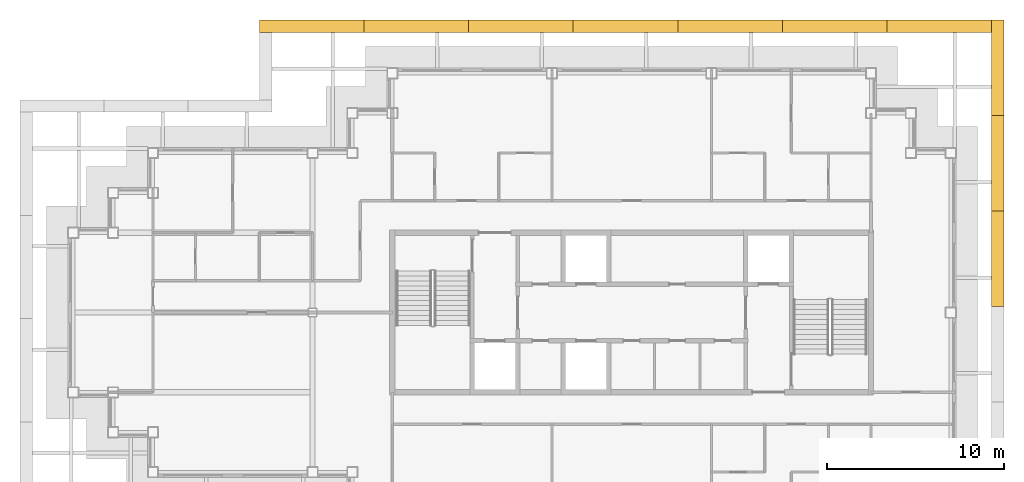
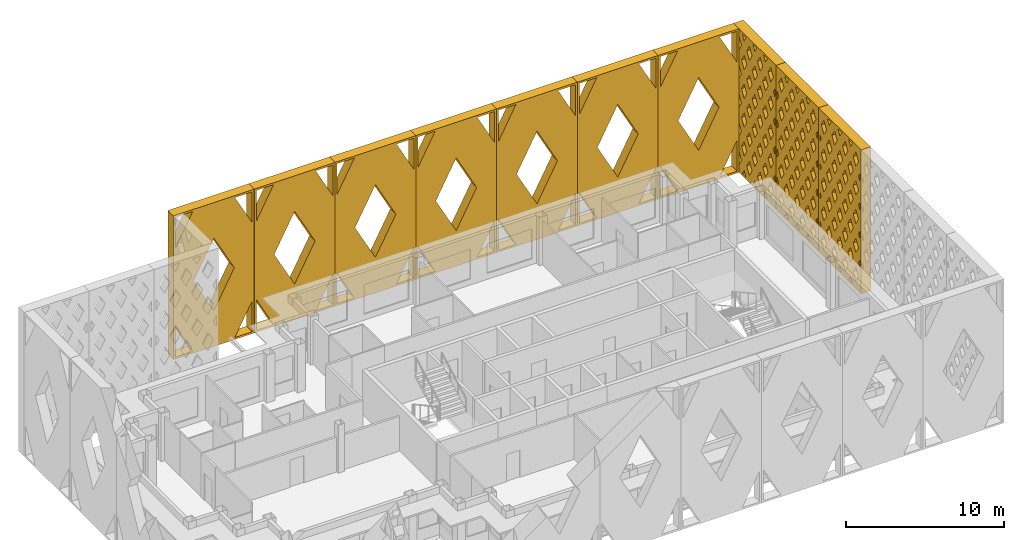
# One storey, part 13 of 13: 10 shading devices.
"""IFC4 building model written with IfcOpenShell, lengths in metres."""

import ifcopenshell
import ifcopenshell.guid

model = None  # the IFC model being written
_history = None  # IfcOwnerHistory: only IFC2X3 demands one
_inside = {}  # id of a spatial element -> (the spatial element, [elements in it])
_under = {}  # id of a project, library or spatial element -> (it, [spatial elements below it])
_declared = {}  # id of a project -> (the project, [libraries it declares])
_typed = {}  # id of a type object -> (the type object, [elements of that type])
_made_of = {}  # id of a material, layer set ... -> (it, [elements and type objects made of it])


def new_model(schema):
    """Start an empty IFC model of exactly this schema.

    Asked for "IFC4X3", IfcOpenShell would pick the latest addendum, in which some entities
    have other attributes; the version numbers below select the first issue.
    IFC2X3 requires an IfcOwnerHistory on every rooted entity: one is made here for all.
    """
    global model, _history
    if schema == "IFC4X3":
        model = ifcopenshell.file(schema_version=(4, 3, 0, 0))
    else:
        model = ifcopenshell.file(schema=schema)
    _inside.clear()
    _under.clear()
    _declared.clear()
    _typed.clear()
    _made_of.clear()
    _history = None
    if model.schema == "IFC2X3":
        org = make("IfcOrganization", Name="unknown")
        user = make(
            "IfcPersonAndOrganization",
            ThePerson=make("IfcPerson", FamilyName="unknown"),
            TheOrganization=org,
        )
        app = make(
            "IfcApplication",
            ApplicationDeveloper=org,
            Version="unknown",
            ApplicationFullName="unknown",
            ApplicationIdentifier="unknown",
        )
        _history = make(
            "IfcOwnerHistory",
            OwningUser=user,
            OwningApplication=app,
            ChangeAction="ADDED",
            CreationDate=0,
        )
    return model


def make(cls, **values):
    """One entity of the class cls with the attributes given. An attribute that is None is left unset."""
    return model.create_entity(
        cls, **{name: value for name, value in values.items() if value is not None}
    )


def rooted(cls, **values):
    """An entity with a GlobalId (a new one), such as an element, a storey or a relation."""
    return make(cls, GlobalId=ifcopenshell.guid.new(), OwnerHistory=_history, **values)


def si_unit(unit_type, name, prefix=None):
    """IfcSIUnit, for example si_unit("LENGTHUNIT", "METRE", prefix="MILLI")."""
    return make("IfcSIUnit", UnitType=unit_type, Prefix=prefix, Name=name)


def assignment(units):
    """IfcUnitAssignment: the units of a project."""
    return None if units is None else make("IfcUnitAssignment", Units=units)


def point(xyz):
    """IfcCartesianPoint."""
    return None if xyz is None else make("IfcCartesianPoint", Coordinates=xyz)


def direction(xyz):
    """IfcDirection."""
    return None if xyz is None else make("IfcDirection", DirectionRatios=xyz)


def frame(location, z_axis=None, x_axis=None):
    """IfcAxis2Placement3D, a coordinate frame: its origin and axes. An axis left out is left unset."""
    return make(
        "IfcAxis2Placement3D",
        Location=point(location),
        Axis=direction(z_axis),
        RefDirection=direction(x_axis),
    )


def origin():
    """The frame at (0, 0, 0) with its axes left unset."""
    return frame((0.0, 0.0, 0.0))


def place(relative_to, where):
    """IfcLocalPlacement: puts the frame where relative to a parent placement (None: the world)."""
    return make(
        "IfcLocalPlacement", PlacementRelTo=relative_to, RelativePlacement=where
    )


def context(
    kind, dimensions, precision=None, world=None, true_north=None, identifier=None
):
    """IfcGeometricRepresentationContext, for example the 3D "Model" context."""
    return make(
        "IfcGeometricRepresentationContext",
        ContextIdentifier=identifier,
        ContextType=kind,
        CoordinateSpaceDimension=dimensions,
        Precision=precision,
        WorldCoordinateSystem=world,
        TrueNorth=true_north,
    )


def subcontext(parent, identifier, kind, view, scale=None):
    """IfcGeometricRepresentationSubContext, for example "Body" below "Model"."""
    return make(
        "IfcGeometricRepresentationSubContext",
        ContextIdentifier=identifier,
        ContextType=kind,
        ParentContext=parent,
        TargetScale=scale,
        TargetView=view,
    )


def project(units=None, contexts=None):
    """IfcProject with its units and contexts."""
    return rooted(
        "IfcProject",
        Name="project",
        RepresentationContexts=contexts,
        UnitsInContext=assignment(units),
    )


def spatial(cls, under=None, at=None, **own):
    """A site, building, storey or space (cls), placed at a placement, below another one or the project."""
    s = rooted(cls, ObjectPlacement=at, **own)
    if under is not None:
        _under.setdefault(under.id(), (under, []))[1].append(s)
    return s


def polyline(points):
    """IfcPolyline through the points."""
    return make("IfcPolyline", Points=[point(p) for p in points])


def outline(outer, holes=None, kind="AREA"):
    """IfcArbitraryClosedProfileDef: a profile drawn as a closed curve; with holes, ...WithVoids."""
    if holes is None:
        return make("IfcArbitraryClosedProfileDef", ProfileType=kind, OuterCurve=outer)
    return make(
        "IfcArbitraryProfileDefWithVoids",
        ProfileType=kind,
        OuterCurve=outer,
        InnerCurves=holes,
    )


def extrude(swept, where, along, depth):
    """IfcExtrudedAreaSolid: the profile swept, set in the frame where, extruded along a direction by depth."""
    return make(
        "IfcExtrudedAreaSolid",
        SweptArea=swept,
        Position=where,
        ExtrudedDirection=direction(along),
        Depth=depth,
    )


def shape(context_of_items, identifier, shape_type, items):
    """IfcShapeRepresentation: the items that make up one representation, for example the "Body"."""
    return make(
        "IfcShapeRepresentation",
        ContextOfItems=context_of_items,
        RepresentationIdentifier=identifier,
        RepresentationType=shape_type,
        Items=items,
    )


def material(Name=None, Category=None):
    """IfcMaterial."""
    return make("IfcMaterial", Name=Name, Category=Category)


def made_of(thing, what):
    """Note that an element or type object is made of a material, layer set ...; save() writes the relation."""
    if what is not None:
        _made_of.setdefault(what.id(), (what, []))[1].append(thing)
    return thing


def type_object(cls, material=None, **own):
    """A type object (cls), such as IfcWallType, which elements share."""
    return made_of(rooted(cls, **own), material)


def element(
    cls,
    number,
    at=None,
    inside=None,
    cuts=None,
    type_object=None,
    material=None,
    context=None,
    identifier="Body",
    shape_type=None,
    held_by="IfcProductDefinitionShape",
    body=None,
    shapes=None,
    **own,
):
    """One element of the class cls, such as IfcWall. Its Tag is "e" and its number.

    at: its placement. inside: the storey or other place that contains it. cuts: it is an
    opening in that element (IfcRelVoidsElement). A single representation is given by context,
    identifier, shape_type and body (its items); several are given by shapes. held_by: the class
    of the entity that holds the representations. save() writes the other relations.
    """
    e = rooted(cls, Tag="e%d" % number, ObjectPlacement=at, **own)
    if body is not None:
        shapes = [shape(context, identifier, shape_type, body)]
    if shapes is not None:
        e.Representation = make(held_by, Representations=shapes)
    if inside is not None:
        _inside.setdefault(inside.id(), (inside, []))[1].append(e)
    if cuts is not None:
        rooted(
            "IfcRelVoidsElement", RelatingBuildingElement=cuts, RelatedOpeningElement=e
        )
    if type_object is not None:
        _typed.setdefault(type_object.id(), (type_object, []))[1].append(e)
    return made_of(e, material)


def aggregate(whole, parts):
    """IfcRelAggregates: a whole, such as a stair, and the parts it consists of."""
    return rooted("IfcRelAggregates", RelatingObject=whole, RelatedObjects=parts)


def save(model, path):
    """Write the relations noted so far, then the file.

    IfcRelAggregates (storeys below a building ...), IfcRelContainedInSpatialStructure (elements
    in a storey), IfcRelDefinesByType, IfcRelAssociatesMaterial and IfcRelDeclares: one each for
    every whole, place, type object, material and project.
    """
    for whole, parts in _under.values():
        aggregate(whole, parts)
    for where, things in _inside.values():
        rooted(
            "IfcRelContainedInSpatialStructure",
            RelatedElements=things,
            RelatingStructure=where,
        )
    for kind, things in _typed.values():
        rooted("IfcRelDefinesByType", RelatedObjects=things, RelatingType=kind)
    for what, things in _made_of.values():
        rooted("IfcRelAssociatesMaterial", RelatedObjects=things, RelatingMaterial=what)
    for by, libraries in _declared.values():
        rooted("IfcRelDeclares", RelatingContext=by, RelatedDefinitions=libraries)
    model.write(path)


model = new_model("IFC4")

# Units and contexts
model_context = context("Model", 3, precision=1e-05, world=origin(), true_north=direction((0.0, 1.0)))
body_context = subcontext(model_context, "Body", "Model", "MODEL_VIEW")
ifc_project = project(units=[si_unit("LENGTHUNIT", "METRE"), si_unit("AREAUNIT", "SQUARE_METRE"), si_unit("VOLUMEUNIT", "CUBIC_METRE"), si_unit("PLANEANGLEUNIT", "RADIAN"), si_unit("MASSUNIT", "GRAM", prefix="KILO")], contexts=[model_context])

# Site, building, storey
site_placement = place(None, origin())
site = spatial("IfcSite", under=ifc_project, at=site_placement, CompositionType="ELEMENT")
building_placement = place(site_placement, origin())
building = spatial("IfcBuilding", under=site, at=building_placement, Name="Caravel Reach Hotel and Residences", CompositionType="ELEMENT")
storey_placement = place(building_placement, frame((0.0, 0.0, 267.5)))
storey = spatial("IfcBuildingStorey", under=building, at=storey_placement, Name="L68", CompositionType="ELEMENT", Elevation=267.5)

# Shading devices
ifc_material_1 = material(Name="Black powder-coated aluminium", Category="aluminium")
shading_device_type_1 = type_object("IfcShadingDeviceType", Name="Diamond lattice screen panel 5383 x 11100", PredefinedType="USERDEFINED", material=ifc_material_1)
shading_device_1_placement = place(storey_placement, frame((51.800048828125, 27.35009765625, 0.0), z_axis=(1.0, 0.0, 0.0), x_axis=(0.0, 1.0, 0.0)))
element("IfcShadingDevice", 1, at=shading_device_1_placement, inside=storey, type_object=shading_device_type_1, Name="Lattice screen L68-L70 4.4", ObjectType="SCREEN", PredefinedType="USERDEFINED", context=body_context, shape_type="SweptSolid", body=[
    extrude(outline(polyline([(0.0, 0.0), (5.38330078125, 0.0), (5.38330078125, 11.10009765625), (0.0, 11.10009765625), (0.0, 0.0)]), holes=[polyline([(0.338134765625, 2.219970703125), (0.14990234375, 2.530517578125), (0.14990234375, 1.90966796875), (0.338134765625, 2.219970703125)]), polyline([(0.338134765625, 4.43994140625), (0.14990234375, 4.75048828125), (0.14990234375, 4.129638671875), (0.338134765625, 4.43994140625)]), polyline([(0.338134765625, 6.659912109375), (0.14990234375, 6.970458984375), (0.14990234375, 6.349609375), (0.338134765625, 6.659912109375)]), polyline([(0.338134765625, 8.8798828125), (0.14990234375, 9.1904296875), (0.14990234375, 8.569580078125), (0.338134765625, 8.8798828125)]), polyline([(0.6728515625, 1.667724609375), (0.334716796875, 1.110107421875), (0.6728515625, 0.55224609375), (1.010986328125, 1.110107421875), (0.6728515625, 1.667724609375)]), polyline([(0.6728515625, 3.887939453125), (0.334716796875, 3.330078125), (0.6728515625, 2.772216796875), (1.010986328125, 3.330078125), (0.6728515625, 3.887939453125)]), polyline([(0.6728515625, 6.10791015625), (0.334716796875, 5.550048828125), (0.6728515625, 4.9921875), (1.010986328125, 5.550048828125), (0.6728515625, 6.10791015625)]), polyline([(0.6728515625, 8.327880859375), (0.334716796875, 7.77001953125), (0.6728515625, 7.212158203125), (1.010986328125, 7.77001953125), (0.6728515625, 8.327880859375)]), polyline([(0.6728515625, 10.5478515625), (0.334716796875, 9.989990234375), (0.6728515625, 9.43212890625), (1.010986328125, 9.989990234375), (0.6728515625, 10.5478515625)]), polyline([(1.345947265625, 0.557861328125), (1.0986328125, 0.14990234375), (1.593017578125, 0.14990234375), (1.345947265625, 0.557861328125)]), polyline([(1.345947265625, 2.77783203125), (1.007568359375, 2.219970703125), (1.345947265625, 1.662109375), (1.68408203125, 2.219970703125), (1.345947265625, 2.77783203125)]), polyline([(1.345947265625, 4.997802734375), (1.007568359375, 4.43994140625), (1.345947265625, 3.882080078125), (1.68408203125, 4.43994140625), (1.345947265625, 4.997802734375)]), polyline([(1.345947265625, 7.2177734375), (1.007568359375, 6.659912109375), (1.345947265625, 6.10205078125), (1.68408203125, 6.659912109375), (1.345947265625, 7.2177734375)]), polyline([(1.345947265625, 9.437744140625), (1.007568359375, 8.8798828125), (1.345947265625, 8.322265625), (1.68408203125, 8.8798828125), (1.345947265625, 9.437744140625)]), polyline([(1.345947265625, 10.542236328125), (1.593017578125, 10.949951171875), (1.0986328125, 10.949951171875), (1.345947265625, 10.542236328125)]), polyline([(2.018798828125, 1.667724609375), (1.6806640625, 1.110107421875), (2.018798828125, 0.55224609375), (2.35693359375, 1.110107421875), (2.018798828125, 1.667724609375)]), polyline([(2.018798828125, 3.887939453125), (1.6806640625, 3.330078125), (2.018798828125, 2.772216796875), (2.35693359375, 3.330078125), (2.018798828125, 3.887939453125)]), polyline([(2.018798828125, 6.10791015625), (1.6806640625, 5.550048828125), (2.018798828125, 4.9921875), (2.35693359375, 5.550048828125), (2.018798828125, 6.10791015625)]), polyline([(2.018798828125, 8.327880859375), (1.6806640625, 7.77001953125), (2.018798828125, 7.212158203125), (2.35693359375, 7.77001953125), (2.018798828125, 8.327880859375)]), polyline([(2.018798828125, 10.5478515625), (1.6806640625, 9.989990234375), (2.018798828125, 9.43212890625), (2.35693359375, 9.989990234375), (2.018798828125, 10.5478515625)]), polyline([(2.691650390625, 0.557861328125), (2.4443359375, 0.14990234375), (2.93896484375, 0.14990234375), (2.691650390625, 0.557861328125)]), polyline([(2.691650390625, 2.77783203125), (2.353515625, 2.219970703125), (2.691650390625, 1.662109375), (3.02978515625, 2.219970703125), (2.691650390625, 2.77783203125)]), polyline([(2.691650390625, 4.997802734375), (2.353515625, 4.43994140625), (2.691650390625, 3.882080078125), (3.02978515625, 4.43994140625), (2.691650390625, 4.997802734375)]), polyline([(2.691650390625, 7.2177734375), (2.353515625, 6.659912109375), (2.691650390625, 6.10205078125), (3.02978515625, 6.659912109375), (2.691650390625, 7.2177734375)]), polyline([(2.691650390625, 9.437744140625), (2.353515625, 8.8798828125), (2.691650390625, 8.322265625), (3.02978515625, 8.8798828125), (2.691650390625, 9.437744140625)]), polyline([(2.691650390625, 10.542236328125), (2.93896484375, 10.949951171875), (2.4443359375, 10.949951171875), (2.691650390625, 10.542236328125)]), polyline([(3.364501953125, 1.667724609375), (3.0263671875, 1.110107421875), (3.364501953125, 0.55224609375), (3.702880859375, 1.110107421875), (3.364501953125, 1.667724609375)]), polyline([(3.364501953125, 3.887939453125), (3.0263671875, 3.330078125), (3.364501953125, 2.772216796875), (3.702880859375, 3.330078125), (3.364501953125, 3.887939453125)]), polyline([(3.364501953125, 6.10791015625), (3.0263671875, 5.550048828125), (3.364501953125, 4.9921875), (3.702880859375, 5.550048828125), (3.364501953125, 6.10791015625)]), polyline([(3.364501953125, 8.327880859375), (3.0263671875, 7.77001953125), (3.364501953125, 7.212158203125), (3.702880859375, 7.77001953125), (3.364501953125, 8.327880859375)]), polyline([(3.364501953125, 10.5478515625), (3.0263671875, 9.989990234375), (3.364501953125, 9.43212890625), (3.702880859375, 9.989990234375), (3.364501953125, 10.5478515625)]), polyline([(4.03759765625, 0.557861328125), (3.790283203125, 0.14990234375), (4.28466796875, 0.14990234375), (4.03759765625, 0.557861328125)]), polyline([(4.03759765625, 2.77783203125), (3.69921875, 2.219970703125), (4.03759765625, 1.662109375), (4.375732421875, 2.219970703125), (4.03759765625, 2.77783203125)]), polyline([(4.03759765625, 4.997802734375), (3.69921875, 4.43994140625), (4.03759765625, 3.882080078125), (4.375732421875, 4.43994140625), (4.03759765625, 4.997802734375)]), polyline([(4.03759765625, 7.2177734375), (3.69921875, 6.659912109375), (4.03759765625, 6.10205078125), (4.375732421875, 6.659912109375), (4.03759765625, 7.2177734375)]), polyline([(4.03759765625, 9.437744140625), (3.69921875, 8.8798828125), (4.03759765625, 8.322265625), (4.375732421875, 8.8798828125), (4.03759765625, 9.437744140625)]), polyline([(4.03759765625, 10.542236328125), (4.28466796875, 10.949951171875), (3.790283203125, 10.949951171875), (4.03759765625, 10.542236328125)]), polyline([(4.71044921875, 1.667724609375), (4.372314453125, 1.110107421875), (4.71044921875, 0.55224609375), (5.048583984375, 1.110107421875), (4.71044921875, 1.667724609375)]), polyline([(4.71044921875, 3.887939453125), (4.372314453125, 3.330078125), (4.71044921875, 2.772216796875), (5.048583984375, 3.330078125), (4.71044921875, 3.887939453125)]), polyline([(4.71044921875, 6.10791015625), (4.372314453125, 5.550048828125), (4.71044921875, 4.9921875), (5.048583984375, 5.550048828125), (4.71044921875, 6.10791015625)]), polyline([(4.71044921875, 8.327880859375), (4.372314453125, 7.77001953125), (4.71044921875, 7.212158203125), (5.048583984375, 7.77001953125), (4.71044921875, 8.327880859375)]), polyline([(4.71044921875, 10.5478515625), (4.372314453125, 9.989990234375), (4.71044921875, 9.43212890625), (5.048583984375, 9.989990234375), (4.71044921875, 10.5478515625)]), polyline([(5.045166015625, 2.219970703125), (5.2333984375, 1.90966796875), (5.2333984375, 2.530517578125), (5.045166015625, 2.219970703125)]), polyline([(5.045166015625, 4.43994140625), (5.2333984375, 4.129638671875), (5.2333984375, 4.75048828125), (5.045166015625, 4.43994140625)]), polyline([(5.045166015625, 6.659912109375), (5.2333984375, 6.349609375), (5.2333984375, 6.970458984375), (5.045166015625, 6.659912109375)]), polyline([(5.045166015625, 8.8798828125), (5.2333984375, 8.569580078125), (5.2333984375, 9.1904296875), (5.045166015625, 8.8798828125)])]), origin(), (0.0, 0.0, 1.0), 0.699951171875),
])
shading_device_2_placement = place(storey_placement, frame((51.800048828125, 32.7333984375, 0.0), z_axis=(1.0, 0.0, 0.0), x_axis=(0.0, 1.0, 0.0)))
element("IfcShadingDevice", 2, at=shading_device_2_placement, inside=storey, type_object=shading_device_type_1, Name="Lattice screen L68-L70 4.5", ObjectType="SCREEN", PredefinedType="USERDEFINED", context=body_context, shape_type="SweptSolid", body=[
    extrude(outline(polyline([(0.0, 0.0), (5.38330078125, 0.0), (5.38330078125, 11.10009765625), (0.0, 11.10009765625), (0.0, 0.0)]), holes=[polyline([(0.338134765625, 2.219970703125), (0.14990234375, 2.530517578125), (0.14990234375, 1.90966796875), (0.338134765625, 2.219970703125)]), polyline([(0.338134765625, 4.43994140625), (0.14990234375, 4.75048828125), (0.14990234375, 4.129638671875), (0.338134765625, 4.43994140625)]), polyline([(0.338134765625, 6.659912109375), (0.14990234375, 6.970458984375), (0.14990234375, 6.349609375), (0.338134765625, 6.659912109375)]), polyline([(0.338134765625, 8.8798828125), (0.14990234375, 9.1904296875), (0.14990234375, 8.569580078125), (0.338134765625, 8.8798828125)]), polyline([(0.6728515625, 1.667724609375), (0.334716796875, 1.110107421875), (0.6728515625, 0.55224609375), (1.010986328125, 1.110107421875), (0.6728515625, 1.667724609375)]), polyline([(0.6728515625, 3.887939453125), (0.334716796875, 3.330078125), (0.6728515625, 2.772216796875), (1.010986328125, 3.330078125), (0.6728515625, 3.887939453125)]), polyline([(0.6728515625, 6.10791015625), (0.334716796875, 5.550048828125), (0.6728515625, 4.9921875), (1.010986328125, 5.550048828125), (0.6728515625, 6.10791015625)]), polyline([(0.6728515625, 8.327880859375), (0.334716796875, 7.77001953125), (0.6728515625, 7.212158203125), (1.010986328125, 7.77001953125), (0.6728515625, 8.327880859375)]), polyline([(0.6728515625, 10.5478515625), (0.334716796875, 9.989990234375), (0.6728515625, 9.43212890625), (1.010986328125, 9.989990234375), (0.6728515625, 10.5478515625)]), polyline([(1.345947265625, 0.557861328125), (1.0986328125, 0.14990234375), (1.593017578125, 0.14990234375), (1.345947265625, 0.557861328125)]), polyline([(1.345947265625, 2.77783203125), (1.007568359375, 2.219970703125), (1.345947265625, 1.662109375), (1.68408203125, 2.219970703125), (1.345947265625, 2.77783203125)]), polyline([(1.345947265625, 4.997802734375), (1.007568359375, 4.43994140625), (1.345947265625, 3.882080078125), (1.68408203125, 4.43994140625), (1.345947265625, 4.997802734375)]), polyline([(1.345947265625, 7.2177734375), (1.007568359375, 6.659912109375), (1.345947265625, 6.10205078125), (1.68408203125, 6.659912109375), (1.345947265625, 7.2177734375)]), polyline([(1.345947265625, 9.437744140625), (1.007568359375, 8.8798828125), (1.345947265625, 8.322265625), (1.68408203125, 8.8798828125), (1.345947265625, 9.437744140625)]), polyline([(1.345947265625, 10.542236328125), (1.593017578125, 10.949951171875), (1.0986328125, 10.949951171875), (1.345947265625, 10.542236328125)]), polyline([(2.018798828125, 1.667724609375), (1.6806640625, 1.110107421875), (2.018798828125, 0.55224609375), (2.35693359375, 1.110107421875), (2.018798828125, 1.667724609375)]), polyline([(2.018798828125, 3.887939453125), (1.6806640625, 3.330078125), (2.018798828125, 2.772216796875), (2.35693359375, 3.330078125), (2.018798828125, 3.887939453125)]), polyline([(2.018798828125, 6.10791015625), (1.6806640625, 5.550048828125), (2.018798828125, 4.9921875), (2.35693359375, 5.550048828125), (2.018798828125, 6.10791015625)]), polyline([(2.018798828125, 8.327880859375), (1.6806640625, 7.77001953125), (2.018798828125, 7.212158203125), (2.35693359375, 7.77001953125), (2.018798828125, 8.327880859375)]), polyline([(2.018798828125, 10.5478515625), (1.6806640625, 9.989990234375), (2.018798828125, 9.43212890625), (2.35693359375, 9.989990234375), (2.018798828125, 10.5478515625)]), polyline([(2.691650390625, 0.557861328125), (2.4443359375, 0.14990234375), (2.93896484375, 0.14990234375), (2.691650390625, 0.557861328125)]), polyline([(2.691650390625, 2.77783203125), (2.353515625, 2.219970703125), (2.691650390625, 1.662109375), (3.02978515625, 2.219970703125), (2.691650390625, 2.77783203125)]), polyline([(2.691650390625, 4.997802734375), (2.353515625, 4.43994140625), (2.691650390625, 3.882080078125), (3.02978515625, 4.43994140625), (2.691650390625, 4.997802734375)]), polyline([(2.691650390625, 7.2177734375), (2.353515625, 6.659912109375), (2.691650390625, 6.10205078125), (3.02978515625, 6.659912109375), (2.691650390625, 7.2177734375)]), polyline([(2.691650390625, 9.437744140625), (2.353515625, 8.8798828125), (2.691650390625, 8.322265625), (3.02978515625, 8.8798828125), (2.691650390625, 9.437744140625)]), polyline([(2.691650390625, 10.542236328125), (2.93896484375, 10.949951171875), (2.4443359375, 10.949951171875), (2.691650390625, 10.542236328125)]), polyline([(3.364501953125, 1.667724609375), (3.0263671875, 1.110107421875), (3.364501953125, 0.55224609375), (3.702880859375, 1.110107421875), (3.364501953125, 1.667724609375)]), polyline([(3.364501953125, 3.887939453125), (3.0263671875, 3.330078125), (3.364501953125, 2.772216796875), (3.702880859375, 3.330078125), (3.364501953125, 3.887939453125)]), polyline([(3.364501953125, 6.10791015625), (3.0263671875, 5.550048828125), (3.364501953125, 4.9921875), (3.702880859375, 5.550048828125), (3.364501953125, 6.10791015625)]), polyline([(3.364501953125, 8.327880859375), (3.0263671875, 7.77001953125), (3.364501953125, 7.212158203125), (3.702880859375, 7.77001953125), (3.364501953125, 8.327880859375)]), polyline([(3.364501953125, 10.5478515625), (3.0263671875, 9.989990234375), (3.364501953125, 9.43212890625), (3.702880859375, 9.989990234375), (3.364501953125, 10.5478515625)]), polyline([(4.03759765625, 0.557861328125), (3.790283203125, 0.14990234375), (4.28466796875, 0.14990234375), (4.03759765625, 0.557861328125)]), polyline([(4.03759765625, 2.77783203125), (3.69921875, 2.219970703125), (4.03759765625, 1.662109375), (4.375732421875, 2.219970703125), (4.03759765625, 2.77783203125)]), polyline([(4.03759765625, 4.997802734375), (3.69921875, 4.43994140625), (4.03759765625, 3.882080078125), (4.375732421875, 4.43994140625), (4.03759765625, 4.997802734375)]), polyline([(4.03759765625, 7.2177734375), (3.69921875, 6.659912109375), (4.03759765625, 6.10205078125), (4.375732421875, 6.659912109375), (4.03759765625, 7.2177734375)]), polyline([(4.03759765625, 9.437744140625), (3.69921875, 8.8798828125), (4.03759765625, 8.322265625), (4.375732421875, 8.8798828125), (4.03759765625, 9.437744140625)]), polyline([(4.03759765625, 10.542236328125), (4.28466796875, 10.949951171875), (3.790283203125, 10.949951171875), (4.03759765625, 10.542236328125)]), polyline([(4.71044921875, 1.667724609375), (4.372314453125, 1.110107421875), (4.71044921875, 0.55224609375), (5.048583984375, 1.110107421875), (4.71044921875, 1.667724609375)]), polyline([(4.71044921875, 3.887939453125), (4.372314453125, 3.330078125), (4.71044921875, 2.772216796875), (5.048583984375, 3.330078125), (4.71044921875, 3.887939453125)]), polyline([(4.71044921875, 6.10791015625), (4.372314453125, 5.550048828125), (4.71044921875, 4.9921875), (5.048583984375, 5.550048828125), (4.71044921875, 6.10791015625)]), polyline([(4.71044921875, 8.327880859375), (4.372314453125, 7.77001953125), (4.71044921875, 7.212158203125), (5.048583984375, 7.77001953125), (4.71044921875, 8.327880859375)]), polyline([(4.71044921875, 10.5478515625), (4.372314453125, 9.989990234375), (4.71044921875, 9.43212890625), (5.048583984375, 9.989990234375), (4.71044921875, 10.5478515625)]), polyline([(5.045166015625, 2.219970703125), (5.2333984375, 1.90966796875), (5.2333984375, 2.530517578125), (5.045166015625, 2.219970703125)]), polyline([(5.045166015625, 4.43994140625), (5.2333984375, 4.129638671875), (5.2333984375, 4.75048828125), (5.045166015625, 4.43994140625)]), polyline([(5.045166015625, 6.659912109375), (5.2333984375, 6.349609375), (5.2333984375, 6.970458984375), (5.045166015625, 6.659912109375)]), polyline([(5.045166015625, 8.8798828125), (5.2333984375, 8.569580078125), (5.2333984375, 9.1904296875), (5.045166015625, 8.8798828125)])]), origin(), (0.0, 0.0, 1.0), 0.699951171875),
])
shading_device_3_placement = place(storey_placement, frame((51.800048828125, 38.11669921875, 0.0), z_axis=(1.0, 0.0, 0.0), x_axis=(0.0, 1.0, 0.0)))
element("IfcShadingDevice", 3, at=shading_device_3_placement, inside=storey, type_object=shading_device_type_1, Name="Lattice screen L68-L70 4.6", ObjectType="SCREEN", PredefinedType="USERDEFINED", context=body_context, shape_type="SweptSolid", body=[
    extrude(outline(polyline([(0.0, 0.0), (5.38330078125, 0.0), (5.38330078125, 11.10009765625), (0.0, 11.10009765625), (0.0, 0.0)]), holes=[polyline([(0.338134765625, 2.219970703125), (0.14990234375, 2.530517578125), (0.14990234375, 1.90966796875), (0.338134765625, 2.219970703125)]), polyline([(0.338134765625, 4.43994140625), (0.14990234375, 4.75048828125), (0.14990234375, 4.129638671875), (0.338134765625, 4.43994140625)]), polyline([(0.338134765625, 6.659912109375), (0.14990234375, 6.970458984375), (0.14990234375, 6.349609375), (0.338134765625, 6.659912109375)]), polyline([(0.338134765625, 8.8798828125), (0.14990234375, 9.1904296875), (0.14990234375, 8.569580078125), (0.338134765625, 8.8798828125)]), polyline([(0.6728515625, 1.667724609375), (0.334716796875, 1.110107421875), (0.6728515625, 0.55224609375), (1.010986328125, 1.110107421875), (0.6728515625, 1.667724609375)]), polyline([(0.6728515625, 3.887939453125), (0.334716796875, 3.330078125), (0.6728515625, 2.772216796875), (1.010986328125, 3.330078125), (0.6728515625, 3.887939453125)]), polyline([(0.6728515625, 6.10791015625), (0.334716796875, 5.550048828125), (0.6728515625, 4.9921875), (1.010986328125, 5.550048828125), (0.6728515625, 6.10791015625)]), polyline([(0.6728515625, 8.327880859375), (0.334716796875, 7.77001953125), (0.6728515625, 7.212158203125), (1.010986328125, 7.77001953125), (0.6728515625, 8.327880859375)]), polyline([(0.6728515625, 10.5478515625), (0.334716796875, 9.989990234375), (0.6728515625, 9.43212890625), (1.010986328125, 9.989990234375), (0.6728515625, 10.5478515625)]), polyline([(1.345947265625, 0.557861328125), (1.0986328125, 0.14990234375), (1.593017578125, 0.14990234375), (1.345947265625, 0.557861328125)]), polyline([(1.345947265625, 2.77783203125), (1.007568359375, 2.219970703125), (1.345947265625, 1.662109375), (1.68408203125, 2.219970703125), (1.345947265625, 2.77783203125)]), polyline([(1.345947265625, 4.997802734375), (1.007568359375, 4.43994140625), (1.345947265625, 3.882080078125), (1.68408203125, 4.43994140625), (1.345947265625, 4.997802734375)]), polyline([(1.345947265625, 7.2177734375), (1.007568359375, 6.659912109375), (1.345947265625, 6.10205078125), (1.68408203125, 6.659912109375), (1.345947265625, 7.2177734375)]), polyline([(1.345947265625, 9.437744140625), (1.007568359375, 8.8798828125), (1.345947265625, 8.322265625), (1.68408203125, 8.8798828125), (1.345947265625, 9.437744140625)]), polyline([(1.345947265625, 10.542236328125), (1.593017578125, 10.949951171875), (1.0986328125, 10.949951171875), (1.345947265625, 10.542236328125)]), polyline([(2.018798828125, 1.667724609375), (1.6806640625, 1.110107421875), (2.018798828125, 0.55224609375), (2.35693359375, 1.110107421875), (2.018798828125, 1.667724609375)]), polyline([(2.018798828125, 3.887939453125), (1.6806640625, 3.330078125), (2.018798828125, 2.772216796875), (2.35693359375, 3.330078125), (2.018798828125, 3.887939453125)]), polyline([(2.018798828125, 6.10791015625), (1.6806640625, 5.550048828125), (2.018798828125, 4.9921875), (2.35693359375, 5.550048828125), (2.018798828125, 6.10791015625)]), polyline([(2.018798828125, 8.327880859375), (1.6806640625, 7.77001953125), (2.018798828125, 7.212158203125), (2.35693359375, 7.77001953125), (2.018798828125, 8.327880859375)]), polyline([(2.018798828125, 10.5478515625), (1.6806640625, 9.989990234375), (2.018798828125, 9.43212890625), (2.35693359375, 9.989990234375), (2.018798828125, 10.5478515625)]), polyline([(2.691650390625, 0.557861328125), (2.4443359375, 0.14990234375), (2.93896484375, 0.14990234375), (2.691650390625, 0.557861328125)]), polyline([(2.691650390625, 2.77783203125), (2.353515625, 2.219970703125), (2.691650390625, 1.662109375), (3.02978515625, 2.219970703125), (2.691650390625, 2.77783203125)]), polyline([(2.691650390625, 4.997802734375), (2.353515625, 4.43994140625), (2.691650390625, 3.882080078125), (3.02978515625, 4.43994140625), (2.691650390625, 4.997802734375)]), polyline([(2.691650390625, 7.2177734375), (2.353515625, 6.659912109375), (2.691650390625, 6.10205078125), (3.02978515625, 6.659912109375), (2.691650390625, 7.2177734375)]), polyline([(2.691650390625, 9.437744140625), (2.353515625, 8.8798828125), (2.691650390625, 8.322265625), (3.02978515625, 8.8798828125), (2.691650390625, 9.437744140625)]), polyline([(2.691650390625, 10.542236328125), (2.93896484375, 10.949951171875), (2.4443359375, 10.949951171875), (2.691650390625, 10.542236328125)]), polyline([(3.364501953125, 1.667724609375), (3.0263671875, 1.110107421875), (3.364501953125, 0.55224609375), (3.702880859375, 1.110107421875), (3.364501953125, 1.667724609375)]), polyline([(3.364501953125, 3.887939453125), (3.0263671875, 3.330078125), (3.364501953125, 2.772216796875), (3.702880859375, 3.330078125), (3.364501953125, 3.887939453125)]), polyline([(3.364501953125, 6.10791015625), (3.0263671875, 5.550048828125), (3.364501953125, 4.9921875), (3.702880859375, 5.550048828125), (3.364501953125, 6.10791015625)]), polyline([(3.364501953125, 8.327880859375), (3.0263671875, 7.77001953125), (3.364501953125, 7.212158203125), (3.702880859375, 7.77001953125), (3.364501953125, 8.327880859375)]), polyline([(3.364501953125, 10.5478515625), (3.0263671875, 9.989990234375), (3.364501953125, 9.43212890625), (3.702880859375, 9.989990234375), (3.364501953125, 10.5478515625)]), polyline([(4.03759765625, 0.557861328125), (3.790283203125, 0.14990234375), (4.28466796875, 0.14990234375), (4.03759765625, 0.557861328125)]), polyline([(4.03759765625, 2.77783203125), (3.69921875, 2.219970703125), (4.03759765625, 1.662109375), (4.375732421875, 2.219970703125), (4.03759765625, 2.77783203125)]), polyline([(4.03759765625, 4.997802734375), (3.69921875, 4.43994140625), (4.03759765625, 3.882080078125), (4.375732421875, 4.43994140625), (4.03759765625, 4.997802734375)]), polyline([(4.03759765625, 7.2177734375), (3.69921875, 6.659912109375), (4.03759765625, 6.10205078125), (4.375732421875, 6.659912109375), (4.03759765625, 7.2177734375)]), polyline([(4.03759765625, 9.437744140625), (3.69921875, 8.8798828125), (4.03759765625, 8.322265625), (4.375732421875, 8.8798828125), (4.03759765625, 9.437744140625)]), polyline([(4.03759765625, 10.542236328125), (4.28466796875, 10.949951171875), (3.790283203125, 10.949951171875), (4.03759765625, 10.542236328125)]), polyline([(4.71044921875, 1.667724609375), (4.372314453125, 1.110107421875), (4.71044921875, 0.55224609375), (5.048583984375, 1.110107421875), (4.71044921875, 1.667724609375)]), polyline([(4.71044921875, 3.887939453125), (4.372314453125, 3.330078125), (4.71044921875, 2.772216796875), (5.048583984375, 3.330078125), (4.71044921875, 3.887939453125)]), polyline([(4.71044921875, 6.10791015625), (4.372314453125, 5.550048828125), (4.71044921875, 4.9921875), (5.048583984375, 5.550048828125), (4.71044921875, 6.10791015625)]), polyline([(4.71044921875, 8.327880859375), (4.372314453125, 7.77001953125), (4.71044921875, 7.212158203125), (5.048583984375, 7.77001953125), (4.71044921875, 8.327880859375)]), polyline([(4.71044921875, 10.5478515625), (4.372314453125, 9.989990234375), (4.71044921875, 9.43212890625), (5.048583984375, 9.989990234375), (4.71044921875, 10.5478515625)]), polyline([(5.045166015625, 2.219970703125), (5.2333984375, 1.90966796875), (5.2333984375, 2.530517578125), (5.045166015625, 2.219970703125)]), polyline([(5.045166015625, 4.43994140625), (5.2333984375, 4.129638671875), (5.2333984375, 4.75048828125), (5.045166015625, 4.43994140625)]), polyline([(5.045166015625, 6.659912109375), (5.2333984375, 6.349609375), (5.2333984375, 6.970458984375), (5.045166015625, 6.659912109375)]), polyline([(5.045166015625, 8.8798828125), (5.2333984375, 8.569580078125), (5.2333984375, 9.1904296875), (5.045166015625, 8.8798828125)])]), origin(), (0.0, 0.0, 1.0), 0.699951171875),
])
ifc_material_2 = material(Name="Black powder-coated aluminium", Category="aluminium")
shading_device_type_2 = type_object("IfcShadingDeviceType", Name="Diamond lattice screen panel 5900 x 11100", PredefinedType="USERDEFINED", material=ifc_material_2)
for number, where, z_axis, x_axis, name in (
    (4, (51.800048828125, 42.800048828125, 0.0), (0.0, 1.0, 0.0), (-1.0, 0.0, 0.0), "Lattice screen L68-L70 5.1"),
    (5, (45.89990234375, 42.800048828125, 0.0), (0.0, 1.0, 0.0), (-1.0, 0.0, 0.0), "Lattice screen L68-L70 5.2"),
    (6, (40.0, 42.800048828125, 0.0), (0.0, 1.0, 0.0), (-1.0, 0.0, 0.0), "Lattice screen L68-L70 5.3"),
    (7, (34.10009765625, 42.800048828125, 0.0), (0.0, 1.0, 0.0), (-1.0, 0.0, 0.0), "Lattice screen L68-L70 5.4"),
    (8, (28.199951171875, 42.800048828125, 0.0), (0.0, 1.0, 0.0), (-1.0, 0.0, 0.0), "Lattice screen L68-L70 5.5"),
    (9, (22.300048828125, 42.800048828125, 0.0), (0.0, 1.0, 0.0), (-1.0, 0.0, 0.0), "Lattice screen L68-L70 5.6"),
    (10, (16.39990234375, 42.800048828125, 0.0), (0.0, 1.0, 0.0), (-1.0, 0.0, 0.0), "Lattice screen L68-L70 5.7"),
):
    element("IfcShadingDevice", number, at=place(storey_placement, frame(where, z_axis=z_axis, x_axis=x_axis)), inside=storey, type_object=shading_device_type_2, Name=name, ObjectType="SCREEN", PredefinedType="USERDEFINED", context=body_context, shape_type="SweptSolid", body=[
        extrude(outline(polyline([(0.0, 0.0), (5.89990234375, 0.0), (5.89990234375, 11.10009765625), (0.0, 11.10009765625), (0.0, 0.0)]), holes=[polyline([(1.4140625, 0.14990234375), (0.14990234375, 2.528076171875), (0.14990234375, 0.14990234375), (1.4140625, 0.14990234375)]), polyline([(0.14990234375, 8.572021484375), (1.4140625, 10.949951171875), (0.14990234375, 10.949951171875), (0.14990234375, 8.572021484375)]), polyline([(2.949951171875, 8.3603515625), (1.456298828125, 5.550048828125), (2.949951171875, 2.73974609375), (4.44384765625, 5.550048828125), (2.949951171875, 8.3603515625)]), polyline([(5.75, 2.528076171875), (4.486083984375, 0.14990234375), (5.75, 0.14990234375), (5.75, 2.528076171875)]), polyline([(4.486083984375, 10.949951171875), (5.75, 8.572021484375), (5.75, 10.949951171875), (4.486083984375, 10.949951171875)])]), origin(), (0.0, 0.0, 1.0), 0.699951171875),
    ])

save(model, "model.ifc")
